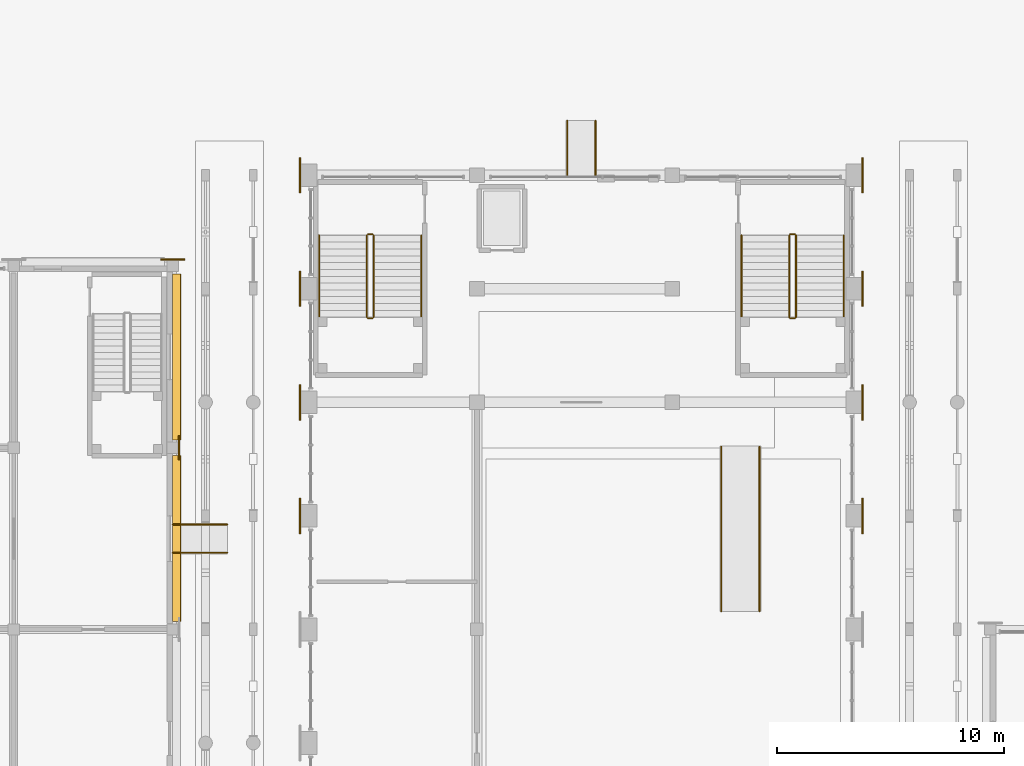
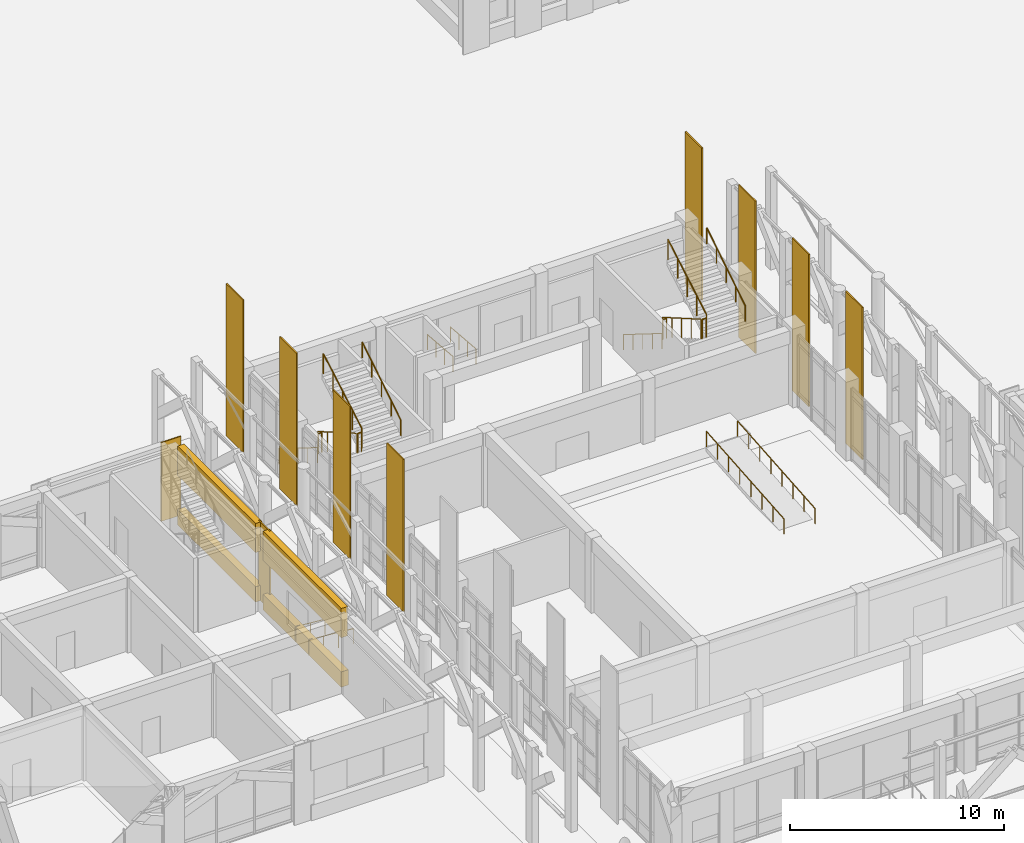
# One storey, part 128 of 135: 18 railings, 14 coverings.
"""IFC4 building model written with IfcOpenShell, lengths in metres."""

from ifc_helpers import new_model, si_unit, direction, frame, origin, origin_2d, place, context, subcontext, project, spatial, polyline, circle, outline, extrude, material, layer, layer_set, type_object, element, save


model = new_model("IFC4")

# Units and contexts
model_context = context("Model", 3, precision=1e-05, world=origin(), true_north=direction((0.0, 1.0)))
body_context = subcontext(model_context, "Body", "Model", "MODEL_VIEW")
ifc_project = project(units=[si_unit("LENGTHUNIT", "METRE"), si_unit("AREAUNIT", "SQUARE_METRE"), si_unit("VOLUMEUNIT", "CUBIC_METRE"), si_unit("PLANEANGLEUNIT", "RADIAN"), si_unit("MASSUNIT", "GRAM", prefix="KILO")], contexts=[model_context])

# Site, building, storey
site_placement = place(None, origin())
site = spatial("IfcSite", under=ifc_project, at=site_placement, CompositionType="ELEMENT")
building_placement = place(site_placement, origin())
building = spatial("IfcBuilding", under=site, at=building_placement, Name="Kiranvali Square Residences", CompositionType="ELEMENT")
storey_placement = place(building_placement, origin())
storey = spatial("IfcBuildingStorey", under=building, at=storey_placement, Name="L00", CompositionType="ELEMENT", Elevation=0.0)

# Coverings
ifc_material_1 = material(Name="Honed Porbandar limestone ashlar facade cladding", Category="masonry")
ifc_layer_1 = layer(ifc_material_1, 0.06494140625)
ifc_layer_set_1 = layer_set([ifc_layer_1], Name="Honed Porbandar limestone ashlar facade cladding")
covering_type_1 = type_object("IfcCoveringType", Name="COV-CLAD-PIER", PredefinedType="CLADDING", material=ifc_layer_set_1)
covering_1_placement = place(storey_placement, frame((0.0, 0.0, 0.0048828125)))
element("IfcCovering", 1, at=covering_1_placement, inside=storey, type_object=covering_type_1, Name="L00 Community Hall buttressed stone pier CLAD-CH-W6", PredefinedType="CLADDING", context=body_context, shape_type="SweptSolid", body=[
    extrude(outline(polyline([(71.6494140625, 68.219970703125), (71.6494140625, 69.780029296875), (71.58203125, 69.780029296875), (71.58203125, 68.219970703125), (71.6494140625, 68.219970703125)])), origin(), (0.0, 0.0, 1.0), 8.690185546875),
])
covering_2_placement = place(storey_placement, frame((0.0, 0.0, 0.0048828125)))
element("IfcCovering", 2, at=covering_2_placement, inside=storey, type_object=covering_type_1, Name="L00 Community Hall buttressed stone pier CLAD-CH-E6", PredefinedType="CLADDING", context=body_context, shape_type="SweptSolid", body=[
    extrude(outline(polyline([(96.41796875, 68.219970703125), (96.41796875, 69.780029296875), (96.3505859375, 69.780029296875), (96.3505859375, 68.219970703125), (96.41796875, 68.219970703125)])), origin(), (0.0, 0.0, 1.0), 8.690185546875),
])
covering_3_placement = place(storey_placement, frame((0.0, 0.0, 0.0048828125)))
element("IfcCovering", 3, at=covering_3_placement, inside=storey, type_object=covering_type_1, Name="L00 Community Hall buttressed stone pier CLAD-CH-W7", PredefinedType="CLADDING", context=body_context, shape_type="SweptSolid", body=[
    extrude(outline(polyline([(71.6494140625, 73.219970703125), (71.6494140625, 74.780029296875), (71.58203125, 74.780029296875), (71.58203125, 73.219970703125), (71.6494140625, 73.219970703125)])), origin(), (0.0, 0.0, 1.0), 8.690185546875),
])
covering_4_placement = place(storey_placement, frame((0.0, 0.0, 0.0048828125)))
element("IfcCovering", 4, at=covering_4_placement, inside=storey, type_object=covering_type_1, Name="L00 Community Hall buttressed stone pier CLAD-CH-E7", PredefinedType="CLADDING", context=body_context, shape_type="SweptSolid", body=[
    extrude(outline(polyline([(96.41796875, 73.219970703125), (96.41796875, 74.780029296875), (96.3505859375, 74.780029296875), (96.3505859375, 73.219970703125), (96.41796875, 73.219970703125)])), origin(), (0.0, 0.0, 1.0), 8.690185546875),
])
covering_5_placement = place(storey_placement, frame((0.0, 0.0, 0.0048828125)))
element("IfcCovering", 5, at=covering_5_placement, inside=storey, type_object=covering_type_1, Name="L00 Community Hall buttressed stone pier CLAD-CH-W8", PredefinedType="CLADDING", context=body_context, shape_type="SweptSolid", body=[
    extrude(outline(polyline([(71.6494140625, 78.219970703125), (71.6494140625, 79.780029296875), (71.58203125, 79.780029296875), (71.58203125, 78.219970703125), (71.6494140625, 78.219970703125)])), origin(), (0.0, 0.0, 1.0), 8.690185546875),
])
covering_6_placement = place(storey_placement, frame((0.0, 0.0, 0.0048828125)))
element("IfcCovering", 6, at=covering_6_placement, inside=storey, type_object=covering_type_1, Name="L00 Community Hall buttressed stone pier CLAD-CH-E8", PredefinedType="CLADDING", context=body_context, shape_type="SweptSolid", body=[
    extrude(outline(polyline([(96.41796875, 78.219970703125), (96.41796875, 79.780029296875), (96.3505859375, 79.780029296875), (96.3505859375, 78.219970703125), (96.41796875, 78.219970703125)])), origin(), (0.0, 0.0, 1.0), 8.690185546875),
])
covering_7_placement = place(storey_placement, frame((0.0, 0.0, 0.0048828125)))
element("IfcCovering", 7, at=covering_7_placement, inside=storey, type_object=covering_type_1, Name="L00 Community Hall buttressed stone pier CLAD-CH-W9", PredefinedType="CLADDING", context=body_context, shape_type="SweptSolid", body=[
    extrude(outline(polyline([(71.6494140625, 83.219970703125), (71.6494140625, 84.780029296875), (71.58203125, 84.780029296875), (71.58203125, 83.219970703125), (71.6494140625, 83.219970703125)])), origin(), (0.0, 0.0, 1.0), 8.690185546875),
])
covering_8_placement = place(storey_placement, frame((0.0, 0.0, 0.0048828125)))
element("IfcCovering", 8, at=covering_8_placement, inside=storey, type_object=covering_type_1, Name="L00 Community Hall buttressed stone pier CLAD-CH-E9", PredefinedType="CLADDING", context=body_context, shape_type="SweptSolid", body=[
    extrude(outline(polyline([(96.41796875, 83.219970703125), (96.41796875, 84.780029296875), (96.3505859375, 84.780029296875), (96.3505859375, 83.219970703125), (96.41796875, 83.219970703125)])), origin(), (0.0, 0.0, 1.0), 8.690185546875),
])
covering_9_placement = place(storey_placement, frame((0.0, 0.0, 0.0048828125)))
element("IfcCovering", 9, at=covering_9_placement, inside=storey, type_object=covering_type_1, Name="L00 Classical limestone pilaster casing CLAD-NR-L00-N4", PredefinedType="CLADDING", context=body_context, shape_type="SweptSolid", body=[
    extrude(outline(polyline([(65.469970703125, 80.25048828125), (66.530029296875, 80.25048828125), (66.530029296875, 80.318115234375), (65.469970703125, 80.318115234375), (65.469970703125, 80.25048828125)])), origin(), (0.0, 0.0, 1.0), 4.490234375),
])
covering_10_placement = place(storey_placement, frame((0.0, 0.0, 0.0048828125)))
element("IfcCovering", 10, at=covering_10_placement, inside=storey, type_object=covering_type_1, Name="L00 Classical limestone pilaster casing CLAD-NR-L00-E2", PredefinedType="CLADDING", context=body_context, shape_type="SweptSolid", body=[
    extrude(outline(polyline([(66.318115234375, 71.469970703125), (66.318115234375, 72.530029296875), (66.25048828125, 72.530029296875), (66.25048828125, 71.469970703125), (66.318115234375, 71.469970703125)])), origin(), (0.0, 0.0, 1.0), 4.490234375),
])
ifc_layer_2 = layer(ifc_material_1, 0.360107421875)
ifc_layer_set_2 = layer_set([ifc_layer_2], Name="Honed Porbandar limestone ashlar facade cladding")
covering_type_2 = type_object("IfcCoveringType", Name="COV-CLAD-WALL", PredefinedType="CLADDING", material=ifc_layer_set_2)
covering_11_placement = place(storey_placement, frame((0.0, 0.0, 2.830078125)))
element("IfcCovering", 11, at=covering_11_placement, inside=storey, type_object=covering_type_2, Name="L00 light limestone spandrel lintel NR-L00-E-1", PredefinedType="CLADDING", context=body_context, shape_type="SweptSolid", body=[
    extrude(outline(polyline([(66.35009765625, 64.35009765625), (66.35009765625, 71.64990234375), (66.00048828125, 71.64990234375), (66.00048828125, 64.35009765625), (66.35009765625, 64.35009765625)])), origin(), (0.0, 0.0, 1.0), 1.6650390625),
])
covering_12_placement = place(storey_placement, frame((0.0, 0.0, 0.0048828125)))
element("IfcCovering", 12, at=covering_12_placement, inside=storey, type_object=covering_type_2, Name="L00 limestone window sill apron NR-L00-E-1", PredefinedType="CLADDING", context=body_context, shape_type="SweptSolid", body=[
    extrude(outline(polyline([(66.3798828125, 64.35009765625), (66.3798828125, 71.64990234375), (66.00048828125, 71.64990234375), (66.00048828125, 64.35009765625), (66.3798828125, 64.35009765625)])), origin(), (0.0, 0.0, 1.0), 0.875),
])
covering_13_placement = place(storey_placement, frame((0.0, 0.0, 2.830078125)))
element("IfcCovering", 13, at=covering_13_placement, inside=storey, type_object=covering_type_2, Name="L00 light limestone spandrel lintel NR-L00-E-2", PredefinedType="CLADDING", context=body_context, shape_type="SweptSolid", body=[
    extrude(outline(polyline([(66.35009765625, 72.35009765625), (66.35009765625, 79.64990234375), (66.00048828125, 79.64990234375), (66.00048828125, 72.35009765625), (66.35009765625, 72.35009765625)])), origin(), (0.0, 0.0, 1.0), 1.6650390625),
])
covering_14_placement = place(storey_placement, frame((0.0, 0.0, 0.0048828125)))
element("IfcCovering", 14, at=covering_14_placement, inside=storey, type_object=covering_type_2, Name="L00 limestone window sill apron NR-L00-E-2", PredefinedType="CLADDING", context=body_context, shape_type="SweptSolid", body=[
    extrude(outline(polyline([(66.3798828125, 72.35009765625), (66.3798828125, 79.64990234375), (66.00048828125, 79.64990234375), (66.00048828125, 72.35009765625), (66.3798828125, 72.35009765625)])), origin(), (0.0, 0.0, 1.0), 0.875),
])

# Railings
ifc_material_2 = material(Name="Brushed stainless steel tubular handrail", Category="steel")
railing_type_1 = type_object("IfcRailingType", Name="RL-HANDRAIL-900", PredefinedType="HANDRAIL", material=ifc_material_2)
railing_1_placement = place(storey_placement, frame((72.449951171875, 81.35009765625, 0.173095703125)))
element("IfcRailing", 15, at=railing_1_placement, inside=storey, type_object=railing_type_1, Name="L00 ST-CH1 stair handrail 1", PredefinedType="HANDRAIL", context=body_context, shape_type="SweptSolid", body=[
    extrude(circle(Radius=0.02392578125, at=origin_2d()), frame((0.0, 0.0, 0.8759765625), z_axis=(0.0, -0.848004765453, 0.529988601547), x_axis=(1.0, 0.0, 0.0)), (0.0, 0.0, 1.0), 4.245361328125),
    extrude(circle(Radius=0.02099609375, at=origin_2d()), origin(), (0.0, 0.0, 1.0), 0.851806640625),
    extrude(circle(Radius=0.02099609375, at=origin_2d()), frame((0.0, -0.89990234375, 0.5625)), (0.0, 0.0, 1.0), 0.851806640625),
    extrude(circle(Radius=0.02099609375, at=origin_2d()), frame((0.0, -1.800048828125, 1.125)), (0.0, 0.0, 1.0), 0.851806640625),
    extrude(circle(Radius=0.02099609375, at=origin_2d()), frame((0.0, -2.7001953125, 1.6875)), (0.0, 0.0, 1.0), 0.851806640625),
    extrude(circle(Radius=0.02099609375, at=origin_2d()), frame((0.0, -3.60009765625, 2.25)), (0.0, 0.0, 1.0), 0.851806640625),
])
railing_2_placement = place(storey_placement, frame((76.949951171875, 77.75, 2.423095703125)))
element("IfcRailing", 16, at=railing_2_placement, inside=storey, type_object=railing_type_1, Name="L00 ST-CH1 stair handrail 2", PredefinedType="HANDRAIL", context=body_context, shape_type="SweptSolid", body=[
    extrude(circle(Radius=0.02392578125, at=origin_2d()), frame((0.0, 0.0, 0.8759765625), z_axis=(0.0, 0.848004765453, 0.529988601547), x_axis=(-1.0, 0.0, 0.0)), (0.0, 0.0, 1.0), 4.245361328125),
    extrude(circle(Radius=0.02099609375, at=origin_2d()), origin(), (0.0, 0.0, 1.0), 0.851806640625),
    extrude(circle(Radius=0.02099609375, at=origin_2d()), frame((0.0, 0.89990234375, 0.5625)), (0.0, 0.0, 1.0), 0.851806640625),
    extrude(circle(Radius=0.02099609375, at=origin_2d()), frame((0.0, 1.800048828125, 1.125)), (0.0, 0.0, 1.0), 0.851806640625),
    extrude(circle(Radius=0.02099609375, at=origin_2d()), frame((0.0, 2.7001953125, 1.6875)), (0.0, 0.0, 1.0), 0.851806640625),
    extrude(circle(Radius=0.02099609375, at=origin_2d()), frame((0.0, 3.60009765625, 2.25)), (0.0, 0.0, 1.0), 0.851806640625),
])
railing_3_placement = place(storey_placement, frame((91.050048828125, 81.35009765625, 0.173095703125)))
element("IfcRailing", 17, at=railing_3_placement, inside=storey, type_object=railing_type_1, Name="L00 ST-CH2 stair handrail 1", PredefinedType="HANDRAIL", context=body_context, shape_type="SweptSolid", body=[
    extrude(circle(Radius=0.02392578125, at=origin_2d()), frame((0.0, 0.0, 0.8759765625), z_axis=(0.0, -0.848004765453, 0.529988601547), x_axis=(1.0, 0.0, 0.0)), (0.0, 0.0, 1.0), 4.245361328125),
    extrude(circle(Radius=0.02099609375, at=origin_2d()), origin(), (0.0, 0.0, 1.0), 0.851806640625),
    extrude(circle(Radius=0.02099609375, at=origin_2d()), frame((0.0, -0.89990234375, 0.5625)), (0.0, 0.0, 1.0), 0.851806640625),
    extrude(circle(Radius=0.02099609375, at=origin_2d()), frame((0.0, -1.800048828125, 1.125)), (0.0, 0.0, 1.0), 0.851806640625),
    extrude(circle(Radius=0.02099609375, at=origin_2d()), frame((0.0, -2.7001953125, 1.6875)), (0.0, 0.0, 1.0), 0.851806640625),
    extrude(circle(Radius=0.02099609375, at=origin_2d()), frame((0.0, -3.60009765625, 2.25)), (0.0, 0.0, 1.0), 0.851806640625),
])
railing_4_placement = place(storey_placement, frame((95.550048828125, 77.75, 2.423095703125)))
element("IfcRailing", 18, at=railing_4_placement, inside=storey, type_object=railing_type_1, Name="L00 ST-CH2 stair handrail 2", PredefinedType="HANDRAIL", context=body_context, shape_type="SweptSolid", body=[
    extrude(circle(Radius=0.02392578125, at=origin_2d()), frame((0.0, 0.0, 0.8759765625), z_axis=(0.0, 0.848004765453, 0.529988601547), x_axis=(-1.0, 0.0, 0.0)), (0.0, 0.0, 1.0), 4.245361328125),
    extrude(circle(Radius=0.02099609375, at=origin_2d()), origin(), (0.0, 0.0, 1.0), 0.851806640625),
    extrude(circle(Radius=0.02099609375, at=origin_2d()), frame((0.0, 0.89990234375, 0.5625)), (0.0, 0.0, 1.0), 0.851806640625),
    extrude(circle(Radius=0.02099609375, at=origin_2d()), frame((0.0, 1.800048828125, 1.125)), (0.0, 0.0, 1.0), 0.851806640625),
    extrude(circle(Radius=0.02099609375, at=origin_2d()), frame((0.0, 2.7001953125, 1.6875)), (0.0, 0.0, 1.0), 0.851806640625),
    extrude(circle(Radius=0.02099609375, at=origin_2d()), frame((0.0, 3.60009765625, 2.25)), (0.0, 0.0, 1.0), 0.851806640625),
])
for number, where, name in (
    (19, (90.159912109375, 64.800048828125, 0.0), "Community Hall Stage Accessible Ramp handrail L"),
    (20, (91.840087890625, 64.800048828125, 0.0), "Community Hall Stage Accessible Ramp handrail R"),
):
    element("IfcRailing", number, at=place(storey_placement, frame(where)), inside=storey, type_object=railing_type_1, Name=name, PredefinedType="HANDRAIL", context=body_context, shape_type="SweptSolid", body=[
        extrude(circle(Radius=0.02392578125, at=origin_2d()), frame((0.0, 0.0, 0.8759765625), z_axis=(0.0, 0.996591892818, 0.082489994361), x_axis=(-1.0, 0.0, 0.0)), (0.0, 0.0, 1.0), 7.27490234375),
        extrude(circle(Radius=0.02099609375, at=origin_2d()), origin(), (0.0, 0.0, 1.0), 0.851806640625),
        extrude(circle(Radius=0.02099609375, at=origin_2d()), frame((0.0, 1.03564453125, 0.085693359375)), (0.0, 0.0, 1.0), 0.851806640625),
        extrude(circle(Radius=0.02099609375, at=origin_2d()), frame((0.0, 2.071533203125, 0.17138671875)), (0.0, 0.0, 1.0), 0.851806640625),
        extrude(circle(Radius=0.02099609375, at=origin_2d()), frame((0.0, 3.107177734375, 0.257080078125)), (0.0, 0.0, 1.0), 0.851806640625),
        extrude(circle(Radius=0.02099609375, at=origin_2d()), frame((0.0, 4.142822265625, 0.343017578125)), (0.0, 0.0, 1.0), 0.851806640625),
        extrude(circle(Radius=0.02099609375, at=origin_2d()), frame((0.0, 5.178466796875, 0.4287109375)), (0.0, 0.0, 1.0), 0.851806640625),
        extrude(circle(Radius=0.02099609375, at=origin_2d()), frame((0.0, 6.21435546875, 0.514404296875)), (0.0, 0.0, 1.0), 0.851806640625),
        extrude(circle(Radius=0.02099609375, at=origin_2d()), frame((0.0, 7.25, 0.60009765625)), (0.0, 0.0, 1.0), 0.851806640625),
    ])
railing_type_2 = type_object("IfcRailingType", Name="RL-HANDRAIL-EXT-900", PredefinedType="HANDRAIL", material=ifc_material_2)
for number, where, name in (
    (21, (66.0, 68.6201171875, 0.0), "Nursery Courtyard Accessible Ramp handrail L"),
    (22, (66.0, 67.3798828125, 0.0), "Nursery Courtyard Accessible Ramp handrail R"),
):
    element("IfcRailing", number, at=place(storey_placement, frame(where)), inside=storey, type_object=railing_type_2, Name=name, PredefinedType="HANDRAIL", context=body_context, shape_type="SweptSolid", body=[
        extrude(circle(Radius=0.02392578125, at=origin_2d()), frame((0.0, 0.0, 0.8759765625), z_axis=(0.996547156423, 0.0, -0.083028700011), x_axis=(0.0, 1.0, 0.0)), (0.0, 0.0, 1.0), 2.408203125),
        extrude(circle(Radius=0.02099609375, at=origin_2d()), origin(), (0.0, 0.0, 1.0), 0.851806640625),
        extrude(circle(Radius=0.02099609375, at=origin_2d()), frame((0.800048828125, 0.0, -0.066650390625)), (0.0, 0.0, 1.0), 0.851806640625),
        extrude(circle(Radius=0.02099609375, at=origin_2d()), frame((1.599853515625, 0.0, -0.13330078125)), (0.0, 0.0, 1.0), 0.851806640625),
        extrude(circle(Radius=0.02099609375, at=origin_2d()), frame((2.39990234375, 0.0, -0.199951171875)), (0.0, 0.0, 1.0), 0.851806640625),
    ])
for number, where, name in (
    (23, (84.6201171875, 86.39990234375, -0.199951171875), "North Shared Garden Accessible Ramp handrail L"),
    (24, (83.3798828125, 86.39990234375, -0.199951171875), "North Shared Garden Accessible Ramp handrail R"),
):
    element("IfcRailing", number, at=place(storey_placement, frame(where)), inside=storey, type_object=railing_type_2, Name=name, PredefinedType="HANDRAIL", context=body_context, shape_type="SweptSolid", body=[
        extrude(circle(Radius=0.02392578125, at=origin_2d()), frame((0.0, 0.0, 0.8759765625), z_axis=(0.0, -0.996547156423, 0.083028700011), x_axis=(1.0, 0.0, 0.0)), (0.0, 0.0, 1.0), 2.408203125),
        extrude(circle(Radius=0.02099609375, at=origin_2d()), origin(), (0.0, 0.0, 1.0), 0.851806640625),
        extrude(circle(Radius=0.02099609375, at=origin_2d()), frame((0.0, -0.800048828125, 0.066650390625)), (0.0, 0.0, 1.0), 0.851806640625),
        extrude(circle(Radius=0.02099609375, at=origin_2d()), frame((0.0, -1.599853515625, 0.13330078125)), (0.0, 0.0, 1.0), 0.851806640625),
        extrude(circle(Radius=0.02099609375, at=origin_2d()), frame((0.0, -2.39990234375, 0.199951171875)), (0.0, 0.0, 1.0), 0.851806640625),
    ])
ifc_material_3 = material(Name="Powder-coated architectural bronze balustrade", Category="steel")
railing_type_3 = type_object("IfcRailingType", Name="RL-ST-GUARD-1200", PredefinedType="GUARDRAIL", material=ifc_material_3)
railing_5_placement = place(storey_placement, frame((74.550048828125, 81.35009765625, 0.173095703125)))
element("IfcRailing", 25, at=railing_5_placement, inside=storey, type_object=railing_type_3, Name="L00 ST-CH1 stair guard 1", PredefinedType="GUARDRAIL", context=body_context, shape_type="SweptSolid", body=[
    extrude(circle(Radius=0.02392578125, at=origin_2d()), frame((0.0, 0.0, 1.1259765625), z_axis=(0.0, -0.866193409371, 0.499708892819), x_axis=(1.0, 0.0, 0.0)), (0.0, 0.0, 1.0), 4.15625),
    extrude(circle(Radius=0.02099609375, at=origin_2d()), origin(), (0.0, 0.0, 1.0), 1.101806640625),
    extrude(circle(Radius=0.02099609375, at=origin_2d()), frame((0.0, -0.89990234375, 0.519287109375)), (0.0, 0.0, 1.0), 1.101806640625),
    extrude(circle(Radius=0.02099609375, at=origin_2d()), frame((0.0, -1.800048828125, 1.03857421875)), (0.0, 0.0, 1.0), 1.101806640625),
    extrude(circle(Radius=0.02099609375, at=origin_2d()), frame((0.0, -2.7001953125, 1.5576171875)), (0.0, 0.0, 1.0), 1.101806640625),
    extrude(circle(Radius=0.02099609375, at=origin_2d()), frame((0.0, -3.60009765625, 2.076904296875)), (0.0, 0.0, 1.0), 1.101806640625),
])
railing_6_placement = place(storey_placement, frame((74.60009765625, 77.699951171875, 2.25)))
element("IfcRailing", 26, at=railing_6_placement, inside=storey, type_object=railing_type_3, Name="L00 ST-CH1 stair guard 2", PredefinedType="GUARDRAIL", context=body_context, shape_type="SweptSolid", body=[
    extrude(circle(Radius=0.02392578125, at=origin_2d()), frame((0.0, 0.0, 1.1259765625), z_axis=(1.0, 0.0, 0.0), x_axis=(0.0, 1.0, 0.0)), (0.0, 0.0, 1.0), 0.199951171875),
    extrude(circle(Radius=0.02099609375, at=origin_2d()), origin(), (0.0, 0.0, 1.0), 1.101806640625),
    extrude(circle(Radius=0.02099609375, at=origin_2d()), frame((0.199951171875, 0.0, 0.0)), (0.0, 0.0, 1.0), 1.101806640625),
])
railing_7_placement = place(storey_placement, frame((74.85009765625, 77.75, 2.423095703125)))
element("IfcRailing", 27, at=railing_7_placement, inside=storey, type_object=railing_type_3, Name="L00 ST-CH1 stair guard 3", PredefinedType="GUARDRAIL", context=body_context, shape_type="SweptSolid", body=[
    extrude(circle(Radius=0.02392578125, at=origin_2d()), frame((0.0, 0.0, 1.1259765625), z_axis=(0.0, 0.866193409371, 0.499708892819), x_axis=(-1.0, 0.0, 0.0)), (0.0, 0.0, 1.0), 4.15625),
    extrude(circle(Radius=0.02099609375, at=origin_2d()), origin(), (0.0, 0.0, 1.0), 1.101806640625),
    extrude(circle(Radius=0.02099609375, at=origin_2d()), frame((0.0, 0.89990234375, 0.519287109375)), (0.0, 0.0, 1.0), 1.101806640625),
    extrude(circle(Radius=0.02099609375, at=origin_2d()), frame((0.0, 1.800048828125, 1.03857421875)), (0.0, 0.0, 1.0), 1.101806640625),
    extrude(circle(Radius=0.02099609375, at=origin_2d()), frame((0.0, 2.7001953125, 1.5576171875)), (0.0, 0.0, 1.0), 1.101806640625),
    extrude(circle(Radius=0.02099609375, at=origin_2d()), frame((0.0, 3.60009765625, 2.076904296875)), (0.0, 0.0, 1.0), 1.101806640625),
])
railing_8_placement = place(storey_placement, frame((74.60009765625, 81.39990234375, 0.0)))
element("IfcRailing", 28, at=railing_8_placement, inside=storey, type_object=railing_type_3, Name="L00 ST-CH1 stair guard 4", PredefinedType="GUARDRAIL", context=body_context, shape_type="SweptSolid", body=[
    extrude(circle(Radius=0.02392578125, at=origin_2d()), frame((0.0, 0.0, 1.1259765625), z_axis=(1.0, 0.0, 0.0), x_axis=(0.0, 1.0, 0.0)), (0.0, 0.0, 1.0), 0.199951171875),
    extrude(circle(Radius=0.02099609375, at=origin_2d()), origin(), (0.0, 0.0, 1.0), 1.101806640625),
    extrude(circle(Radius=0.02099609375, at=origin_2d()), frame((0.199951171875, 0.0, 0.0)), (0.0, 0.0, 1.0), 1.101806640625),
])
railing_9_placement = place(storey_placement, frame((93.14990234375, 81.35009765625, 0.173095703125)))
element("IfcRailing", 29, at=railing_9_placement, inside=storey, type_object=railing_type_3, Name="L00 ST-CH2 stair guard 1", PredefinedType="GUARDRAIL", context=body_context, shape_type="SweptSolid", body=[
    extrude(circle(Radius=0.02392578125, at=origin_2d()), frame((0.0, 0.0, 1.1259765625), z_axis=(0.0, -0.866193409371, 0.499708892819), x_axis=(1.0, 0.0, 0.0)), (0.0, 0.0, 1.0), 4.15625),
    extrude(circle(Radius=0.02099609375, at=origin_2d()), origin(), (0.0, 0.0, 1.0), 1.101806640625),
    extrude(circle(Radius=0.02099609375, at=origin_2d()), frame((0.0, -0.89990234375, 0.519287109375)), (0.0, 0.0, 1.0), 1.101806640625),
    extrude(circle(Radius=0.02099609375, at=origin_2d()), frame((0.0, -1.800048828125, 1.03857421875)), (0.0, 0.0, 1.0), 1.101806640625),
    extrude(circle(Radius=0.02099609375, at=origin_2d()), frame((0.0, -2.7001953125, 1.5576171875)), (0.0, 0.0, 1.0), 1.101806640625),
    extrude(circle(Radius=0.02099609375, at=origin_2d()), frame((0.0, -3.60009765625, 2.076904296875)), (0.0, 0.0, 1.0), 1.101806640625),
])
railing_10_placement = place(storey_placement, frame((93.199951171875, 77.699951171875, 2.25)))
element("IfcRailing", 30, at=railing_10_placement, inside=storey, type_object=railing_type_3, Name="L00 ST-CH2 stair guard 2", PredefinedType="GUARDRAIL", context=body_context, shape_type="SweptSolid", body=[
    extrude(circle(Radius=0.02392578125, at=origin_2d()), frame((0.0, 0.0, 1.1259765625), z_axis=(1.0, 0.0, 0.0), x_axis=(0.0, 1.0, 0.0)), (0.0, 0.0, 1.0), 0.199951171875),
    extrude(circle(Radius=0.02099609375, at=origin_2d()), origin(), (0.0, 0.0, 1.0), 1.101806640625),
    extrude(circle(Radius=0.02099609375, at=origin_2d()), frame((0.199951171875, 0.0, 0.0)), (0.0, 0.0, 1.0), 1.101806640625),
])
railing_11_placement = place(storey_placement, frame((93.449951171875, 77.75, 2.423095703125)))
element("IfcRailing", 31, at=railing_11_placement, inside=storey, type_object=railing_type_3, Name="L00 ST-CH2 stair guard 3", PredefinedType="GUARDRAIL", context=body_context, shape_type="SweptSolid", body=[
    extrude(circle(Radius=0.02392578125, at=origin_2d()), frame((0.0, 0.0, 1.1259765625), z_axis=(0.0, 0.866193409371, 0.499708892819), x_axis=(-1.0, 0.0, 0.0)), (0.0, 0.0, 1.0), 4.15625),
    extrude(circle(Radius=0.02099609375, at=origin_2d()), origin(), (0.0, 0.0, 1.0), 1.101806640625),
    extrude(circle(Radius=0.02099609375, at=origin_2d()), frame((0.0, 0.89990234375, 0.519287109375)), (0.0, 0.0, 1.0), 1.101806640625),
    extrude(circle(Radius=0.02099609375, at=origin_2d()), frame((0.0, 1.800048828125, 1.03857421875)), (0.0, 0.0, 1.0), 1.101806640625),
    extrude(circle(Radius=0.02099609375, at=origin_2d()), frame((0.0, 2.7001953125, 1.5576171875)), (0.0, 0.0, 1.0), 1.101806640625),
    extrude(circle(Radius=0.02099609375, at=origin_2d()), frame((0.0, 3.60009765625, 2.076904296875)), (0.0, 0.0, 1.0), 1.101806640625),
])
railing_12_placement = place(storey_placement, frame((93.199951171875, 81.39990234375, 0.0)))
element("IfcRailing", 32, at=railing_12_placement, inside=storey, type_object=railing_type_3, Name="L00 ST-CH2 stair guard 4", PredefinedType="GUARDRAIL", context=body_context, shape_type="SweptSolid", body=[
    extrude(circle(Radius=0.02392578125, at=origin_2d()), frame((0.0, 0.0, 1.1259765625), z_axis=(1.0, 0.0, 0.0), x_axis=(0.0, 1.0, 0.0)), (0.0, 0.0, 1.0), 0.199951171875),
    extrude(circle(Radius=0.02099609375, at=origin_2d()), origin(), (0.0, 0.0, 1.0), 1.101806640625),
    extrude(circle(Radius=0.02099609375, at=origin_2d()), frame((0.199951171875, 0.0, 0.0)), (0.0, 0.0, 1.0), 1.101806640625),
])

save(model, "model.ifc")
